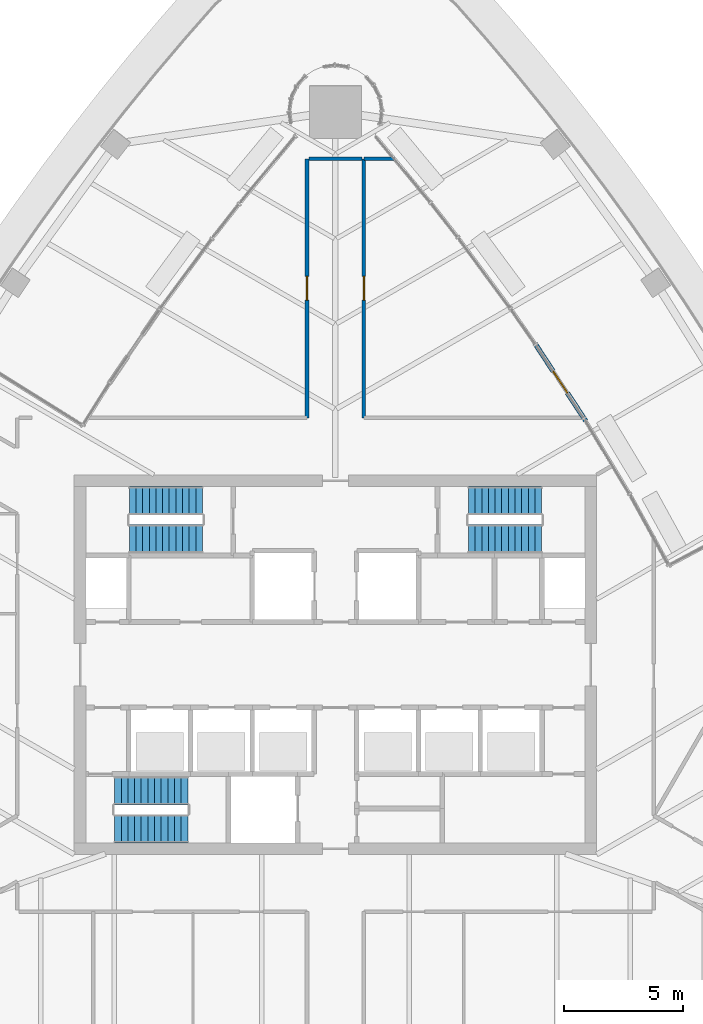
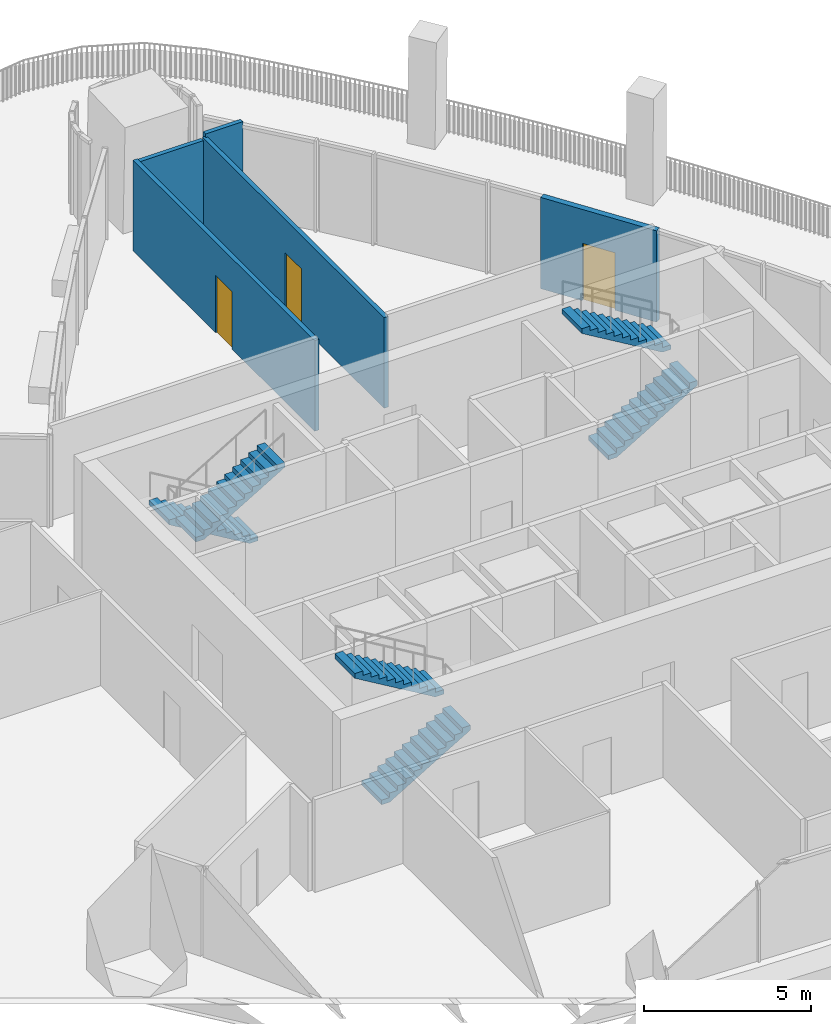
# One storey, part 13 of 18: 6 stair flights, 5 walls, 3 doors, 3 openings, 3 elements without a shape of their own.
"""IFC4 building model written with IfcOpenShell, lengths in metres."""

from ifc_helpers import new_model, si_unit, direction, frame, frame_2d, origin, place, context, subcontext, project, spatial, polyline, rectangle, outline, extrude, material, layer, layer_set, type_object, element, fill, aggregate, save


model = new_model("IFC4")

# Units and contexts
model_context = context("Model", 3, precision=1e-05, world=origin(), true_north=direction((0.0, 1.0)))
body_context = subcontext(model_context, "Body", "Model", "MODEL_VIEW")
ifc_project = project(units=[si_unit("LENGTHUNIT", "METRE"), si_unit("AREAUNIT", "SQUARE_METRE"), si_unit("VOLUMEUNIT", "CUBIC_METRE"), si_unit("PLANEANGLEUNIT", "RADIAN"), si_unit("MASSUNIT", "GRAM", prefix="KILO")], contexts=[model_context])

# Site, building, storey
site_placement = place(None, origin())
site = spatial("IfcSite", under=ifc_project, at=site_placement, CompositionType="ELEMENT")
building_placement = place(site_placement, origin())
building = spatial("IfcBuilding", under=site, at=building_placement, Name="Sierra Prisma Convention Tower", CompositionType="ELEMENT")
storey_placement = place(building_placement, frame((0.0, 0.0, 307.0)))
storey = spatial("IfcBuildingStorey", under=building, at=storey_placement, Name="L70", CompositionType="ELEMENT", Elevation=307.0)

# Wall, opening, door
ifc_material_1 = material(Name="Gypsum board partition", Category="gypsum")
ifc_layer_1 = layer(ifc_material_1, 0.14990234375)
ifc_layer_set_1 = layer_set([ifc_layer_1], Name="Corridor wall 150 gypsum EI 60")
wall_type_1 = type_object("IfcWallType", Name="Corridor wall 150 gypsum EI 60", PredefinedType="PARTITIONING", material=ifc_layer_set_1)
wall_1_placement = place(storey_placement, frame((-1.199951171875, 21.2998046875, 0.0), z_axis=(0.0, 0.0, 1.0), x_axis=(0.0, -1.0, 0.0)))
wall_1 = element("IfcWall", 1, at=wall_1_placement, inside=storey, type_object=wall_type_1, Name="Partition L70 corr 13", PredefinedType="PARTITIONING", context=body_context, shape_type="SweptSolid", body=[
    extrude(rectangle(XDim=10.89990234375, YDim=0.14990234375, at=frame_2d((5.449951171875, 0.0))), origin(), (0.0, 0.0, 1.0), 3.31689453125),
])
opening_1_placement = place(wall_1_placement, frame((4.949951171875, 0.0, 0.0)))
opening_1 = element("IfcOpeningElement", 2, at=opening_1_placement, cuts=wall_1, Name="Opening L70-D029", PredefinedType="OPENING", context=body_context, shape_type="SweptSolid", body=[
    extrude(rectangle(XDim=1.0, YDim=2.10009765625, at=frame_2d((0.5, 1.050048828125))), frame((0.0, 0.074951171875, 0.0), z_axis=(0.0, -1.0, 0.0), x_axis=(1.0, 0.0, 0.0)), (0.0, 0.0, 1.0), 0.14990234375),
])
ifc_material_2 = material(Name="Steel fire door leaf", Category="steel")
door_type_1 = type_object("IfcDoorType", Name="Door 1000x2100 FD30S", OperationType="SINGLE_SWING_LEFT", PredefinedType="DOOR", material=ifc_material_2)
door_1_placement = place(opening_1_placement, origin())
door_1 = element("IfcDoor", 3, at=door_1_placement, inside=storey, type_object=door_type_1, Name="Door L70 3", OperationType="SINGLE_SWING_LEFT", OverallHeight=2.10009765625, OverallWidth=1.0, PredefinedType="DOOR", context=body_context, shape_type="SweptSolid", body=[
    extrude(rectangle(XDim=1.0, YDim=2.10009765625, at=frame_2d((0.5, 1.050048828125))), frame((0.0, 0.02490234375, 0.0), z_axis=(0.0, -1.0, 0.0), x_axis=(1.0, 0.0, 0.0)), (0.0, 0.0, 1.0), 0.050048828125),
])
fill(opening_1, door_1)

# Wall
wall_2_placement = place(storey_placement, frame((1.1201171875, 21.2998046875, 0.0), z_axis=(0.0, 0.0, 1.0), x_axis=(-1.0, 0.0, 0.0)))
element("IfcWall", 4, at=wall_2_placement, inside=storey, type_object=wall_type_1, Name="Partition L70 corr 16", PredefinedType="PARTITIONING", context=body_context, shape_type="SweptSolid", body=[
    extrude(rectangle(XDim=2.240234375, YDim=0.14990234375, at=frame_2d((1.1201171875, 0.0))), origin(), (0.0, 0.0, 1.0), 3.23291015625),
])

# Wall, opening, door
wall_3_placement = place(storey_placement, frame((1.199951171875, 10.39990234375, 0.0), z_axis=(0.0, 0.0, 1.0), x_axis=(0.0, 1.0, 0.0)))
wall_3 = element("IfcWall", 5, at=wall_3_placement, inside=storey, type_object=wall_type_1, Name="Partition L70 corr 20", PredefinedType="PARTITIONING", context=body_context, shape_type="SweptSolid", body=[
    extrude(rectangle(XDim=10.89990234375, YDim=0.14990234375, at=frame_2d((5.449951171875, 0.0))), origin(), (0.0, 0.0, 1.0), 3.31689453125),
])
opening_2_placement = place(wall_3_placement, frame((4.949951171875, 0.0, 0.0)))
opening_2 = element("IfcOpeningElement", 6, at=opening_2_placement, cuts=wall_3, Name="Opening L70-D028", PredefinedType="OPENING", context=body_context, shape_type="SweptSolid", body=[
    extrude(rectangle(XDim=1.0, YDim=2.10009765625, at=frame_2d((0.5, 1.050048828125))), frame((0.0, 0.074951171875, 0.0), z_axis=(0.0, -1.0, 0.0), x_axis=(1.0, 0.0, 0.0)), (0.0, 0.0, 1.0), 0.14990234375),
])
door_2_placement = place(opening_2_placement, origin())
door_2 = element("IfcDoor", 7, at=door_2_placement, inside=storey, type_object=door_type_1, Name="Door L70 2", OperationType="SINGLE_SWING_RIGHT", OverallHeight=2.10009765625, OverallWidth=1.0, PredefinedType="DOOR", context=body_context, shape_type="SweptSolid", body=[
    extrude(rectangle(XDim=1.0, YDim=2.10009765625, at=frame_2d((0.5, 1.050048828125))), frame((0.0, 0.02490234375, 0.0), z_axis=(0.0, -1.0, 0.0), x_axis=(1.0, 0.0, 0.0)), (0.0, 0.0, 1.0), 0.050048828125),
])
fill(opening_2, door_2)

# Wall
ifc_material_3 = material(Name="Gypsum board partition", Category="gypsum")
ifc_layer_2 = layer(ifc_material_3, 0.14990234375)
ifc_layer_set_2 = layer_set([ifc_layer_2], Name="Party wall 150 gypsum")
wall_type_2 = type_object("IfcWallType", Name="Party wall 150 gypsum", PredefinedType="PARTITIONING", material=ifc_layer_set_2)
wall_4_placement = place(storey_placement, frame((1.199951171875, 21.2998046875, 0.0), z_axis=(0.0, 0.0, 1.0), x_axis=(1.0, 0.0, 0.0)))
element("IfcWall", 8, at=wall_4_placement, inside=storey, type_object=wall_type_2, Name="Partition L70 party 6", PredefinedType="PARTITIONING", context=body_context, shape_type="SweptSolid", body=[
    extrude(rectangle(XDim=1.2958984375, YDim=0.14990234375, at=frame_2d((0.64794921875, 0.0))), origin(), (0.0, 0.0, 1.0), 3.449951171875),
])

# Wall, opening, door
ifc_material_4 = material(Name="Precast concrete C40/50", Category="concrete")
ifc_layer_3 = layer(ifc_material_4, 0.199951171875)
ifc_layer_set_3 = layer_set([ifc_layer_3], Name="Terrace door pier")
wall_type_3 = type_object("IfcWallType", Name="Terrace door pier", PredefinedType="SOLIDWALL", material=ifc_layer_set_3)
wall_5_placement = place(storey_placement, frame((10.53564453125, 10.27001953125, 0.0), z_axis=(0.0, 0.0, 1.0), x_axis=(-0.548045908614, 0.836448254258, 0.0)))
wall_5 = element("IfcWall", 9, at=wall_5_placement, inside=storey, type_object=wall_type_3, Name="Terrace door bay L70.3", PredefinedType="SOLIDWALL", context=body_context, shape_type="SweptSolid", body=[
    extrude(rectangle(XDim=3.896484375, YDim=0.199951171875, at=frame_2d((1.9482421875, 0.0))), origin(), (0.0, 0.0, 1.0), 3.340087890625),
])
opening_3_placement = place(wall_5_placement, frame((1.398193359375, 0.0, 0.0)))
opening_3 = element("IfcOpeningElement", 10, at=opening_3_placement, cuts=wall_5, Name="Opening L70-D002", PredefinedType="OPENING", context=body_context, shape_type="SweptSolid", body=[
    extrude(rectangle(XDim=1.10009765625, YDim=2.10009765625, at=frame_2d((0.550048828125, 1.050048828125))), frame((0.0, 0.10009765625, 0.0), z_axis=(0.0, -1.0, 0.0), x_axis=(1.0, 0.0, 0.0)), (0.0, 0.0, 1.0), 0.199951171875),
])
ifc_material_5 = material(Name="Bronze anodised aluminium and glass", Category="aluminium")
door_type_2 = type_object("IfcDoorType", Name="Terrace door 1100 x 2100", OperationType="SINGLE_SWING_LEFT", PredefinedType="DOOR", material=ifc_material_5)
door_3_placement = place(opening_3_placement, origin())
door_3 = element("IfcDoor", 11, at=door_3_placement, inside=storey, type_object=door_type_2, Name="Terrace door L70.3", OperationType="SINGLE_SWING_RIGHT", OverallHeight=2.10009765625, OverallWidth=1.10009765625, PredefinedType="DOOR", context=body_context, shape_type="SweptSolid", body=[
    extrude(rectangle(XDim=1.10009765625, YDim=2.10009765625, at=frame_2d((0.550048828125, 1.050048828125))), frame((0.0, 0.02490234375, 0.0), z_axis=(0.0, -1.0, 0.0), x_axis=(1.0, 0.0, 0.0)), (0.0, 0.0, 1.0), 0.050048828125),
])
fill(opening_3, door_3)

# Stair, stair flights
ifc_material_6 = material(Name="Concrete C30/37", Category="concrete")
stair_type = type_object("IfcStairType", Name="Stair dog-leg 1200 RC", PredefinedType="HALF_TURN_STAIR", material=ifc_material_6)
stair_1_placement = place(storey_placement, origin())
stair_1 = element("IfcStair", 12, at=stair_1_placement, inside=storey, type_object=stair_type, Name="L70 S1", PredefinedType="HALF_TURN_STAIR")
ifc_material_7 = material(Name="Concrete C30/37", Category="concrete")
stair_flight_type = type_object("IfcStairFlightType", Name="Stair flight RC 1200", PredefinedType="STRAIGHT", material=ifc_material_7)
stair_flight_1_placement = place(storey_placement, frame((-9.300048828125, -6.89990234375, 0.0), z_axis=(0.0, 0.0, 1.0), x_axis=(1.0, 0.0, 0.0)))
stair_flight_1 = element("IfcStairFlight", 13, at=stair_flight_1_placement, type_object=stair_flight_type, Name="S1 flight 1", NumberOfRisers=12, NumberOfTreads=11, PredefinedType="STRAIGHT", RiserHeight=0.166666667, TreadLength=0.28, context=body_context, shape_type="SweptSolid", body=[
    extrude(outline(polyline([(0.0, 0.0), (0.0, 0.166748046875), (0.280029296875, 0.166748046875), (0.280029296875, 0.333251953125), (0.56005859375, 0.333251953125), (0.56005859375, 0.5), (0.840087890625, 0.5), (0.840087890625, 0.666748046875), (1.1201171875, 0.666748046875), (1.1201171875, 0.833251953125), (1.39990234375, 0.833251953125), (1.39990234375, 1.0), (1.679931640625, 1.0), (1.679931640625, 1.166748046875), (1.9599609375, 1.166748046875), (1.9599609375, 1.333251953125), (2.239990234375, 1.333251953125), (2.239990234375, 1.5), (2.52001953125, 1.5), (2.52001953125, 1.666748046875), (2.800048828125, 1.666748046875), (2.800048828125, 1.833251953125), (3.080078125, 1.833251953125), (3.080078125, 2.0), (3.080078125, 1.658935546875), (0.29296875, 0.0), (0.0, 0.0)])), frame((0.0, 0.60009765625, 0.0), z_axis=(0.0, -1.0, 0.0), x_axis=(1.0, 0.0, 0.0)), (0.0, 0.0, 1.0), 1.199951171875),
])
stair_flight_2_placement = place(storey_placement, frame((-6.219970703125, -5.300048828125, 2.0), z_axis=(0.0, 0.0, 1.0), x_axis=(-1.0, 0.0, 0.0)))
stair_flight_2 = element("IfcStairFlight", 14, at=stair_flight_2_placement, type_object=stair_flight_type, Name="S1 flight 2", NumberOfRisers=12, NumberOfTreads=11, PredefinedType="STRAIGHT", RiserHeight=0.166666667, TreadLength=0.28, context=body_context, shape_type="SweptSolid", body=[
    extrude(outline(polyline([(0.0, 0.0), (0.0, 0.166748046875), (0.280029296875, 0.166748046875), (0.280029296875, 0.333251953125), (0.56005859375, 0.333251953125), (0.56005859375, 0.5), (0.840087890625, 0.5), (0.840087890625, 0.666748046875), (1.1201171875, 0.666748046875), (1.1201171875, 0.833251953125), (1.39990234375, 0.833251953125), (1.39990234375, 1.0), (1.679931640625, 1.0), (1.679931640625, 1.166748046875), (1.9599609375, 1.166748046875), (1.9599609375, 1.333251953125), (2.239990234375, 1.333251953125), (2.239990234375, 1.5), (2.52001953125, 1.5), (2.52001953125, 1.666748046875), (2.800048828125, 1.666748046875), (2.800048828125, 1.833251953125), (3.080078125, 1.833251953125), (3.080078125, 2.0), (3.080078125, 1.658935546875), (0.29296875, 0.0), (0.0, 0.0)])), frame((0.0, 0.60009765625, 0.0), z_axis=(0.0, -1.0, 0.0), x_axis=(1.0, 0.0, 0.0)), (0.0, 0.0, 1.0), 1.199951171875),
])
aggregate(stair_1, [stair_flight_1, stair_flight_2])

stair_2_placement = place(storey_placement, origin())
stair_2 = element("IfcStair", 15, at=stair_2_placement, inside=storey, type_object=stair_type, Name="L70 S3", PredefinedType="HALF_TURN_STAIR")
stair_flight_3_placement = place(storey_placement, frame((-5.60009765625, 6.89990234375, 0.0), z_axis=(0.0, 0.0, 1.0), x_axis=(-1.0, 0.0, 0.0)))
stair_flight_3 = element("IfcStairFlight", 16, at=stair_flight_3_placement, type_object=stair_flight_type, Name="S3 flight 1", NumberOfRisers=12, NumberOfTreads=11, PredefinedType="STRAIGHT", RiserHeight=0.166666667, TreadLength=0.28, context=body_context, shape_type="SweptSolid", body=[
    extrude(outline(polyline([(0.0, 0.0), (0.0, 0.166748046875), (0.280029296875, 0.166748046875), (0.280029296875, 0.333251953125), (0.56005859375, 0.333251953125), (0.56005859375, 0.5), (0.840087890625, 0.5), (0.840087890625, 0.666748046875), (1.1201171875, 0.666748046875), (1.1201171875, 0.833251953125), (1.39990234375, 0.833251953125), (1.39990234375, 1.0), (1.679931640625, 1.0), (1.679931640625, 1.166748046875), (1.9599609375, 1.166748046875), (1.9599609375, 1.333251953125), (2.239990234375, 1.333251953125), (2.239990234375, 1.5), (2.52001953125, 1.5), (2.52001953125, 1.666748046875), (2.800048828125, 1.666748046875), (2.800048828125, 1.833251953125), (3.080078125, 1.833251953125), (3.080078125, 2.0), (3.080078125, 1.658935546875), (0.29296875, 0.0), (0.0, 0.0)])), frame((0.0, 0.60009765625, 0.0), z_axis=(0.0, -1.0, 0.0), x_axis=(1.0, 0.0, 0.0)), (0.0, 0.0, 1.0), 1.199951171875),
])
stair_flight_4_placement = place(storey_placement, frame((-8.679931640625, 5.300048828125, 2.0), z_axis=(0.0, 0.0, 1.0), x_axis=(1.0, 0.0, 0.0)))
stair_flight_4 = element("IfcStairFlight", 17, at=stair_flight_4_placement, type_object=stair_flight_type, Name="S3 flight 2", NumberOfRisers=12, NumberOfTreads=11, PredefinedType="STRAIGHT", RiserHeight=0.166666667, TreadLength=0.28, context=body_context, shape_type="SweptSolid", body=[
    extrude(outline(polyline([(0.0, 0.0), (0.0, 0.166748046875), (0.280029296875, 0.166748046875), (0.280029296875, 0.333251953125), (0.56005859375, 0.333251953125), (0.56005859375, 0.5), (0.840087890625, 0.5), (0.840087890625, 0.666748046875), (1.1201171875, 0.666748046875), (1.1201171875, 0.833251953125), (1.39990234375, 0.833251953125), (1.39990234375, 1.0), (1.679931640625, 1.0), (1.679931640625, 1.166748046875), (1.9599609375, 1.166748046875), (1.9599609375, 1.333251953125), (2.239990234375, 1.333251953125), (2.239990234375, 1.5), (2.52001953125, 1.5), (2.52001953125, 1.666748046875), (2.800048828125, 1.666748046875), (2.800048828125, 1.833251953125), (3.080078125, 1.833251953125), (3.080078125, 2.0), (3.080078125, 1.658935546875), (0.29296875, 0.0), (0.0, 0.0)])), frame((0.0, 0.60009765625, 0.0), z_axis=(0.0, -1.0, 0.0), x_axis=(1.0, 0.0, 0.0)), (0.0, 0.0, 1.0), 1.199951171875),
])
aggregate(stair_2, [stair_flight_3, stair_flight_4])

stair_3_placement = place(storey_placement, origin())
stair_3 = element("IfcStair", 18, at=stair_3_placement, inside=storey, type_object=stair_type, Name="L70 S4", PredefinedType="HALF_TURN_STAIR")
stair_flight_5_placement = place(storey_placement, frame((5.60009765625, 5.300048828125, 0.0), z_axis=(0.0, 0.0, 1.0), x_axis=(1.0, 0.0, 0.0)))
stair_flight_5 = element("IfcStairFlight", 19, at=stair_flight_5_placement, type_object=stair_flight_type, Name="S4 flight 1", NumberOfRisers=12, NumberOfTreads=11, PredefinedType="STRAIGHT", RiserHeight=0.166666667, TreadLength=0.28, context=body_context, shape_type="SweptSolid", body=[
    extrude(outline(polyline([(0.0, 0.0), (0.0, 0.166748046875), (0.280029296875, 0.166748046875), (0.280029296875, 0.333251953125), (0.56005859375, 0.333251953125), (0.56005859375, 0.5), (0.840087890625, 0.5), (0.840087890625, 0.666748046875), (1.1201171875, 0.666748046875), (1.1201171875, 0.833251953125), (1.39990234375, 0.833251953125), (1.39990234375, 1.0), (1.679931640625, 1.0), (1.679931640625, 1.166748046875), (1.9599609375, 1.166748046875), (1.9599609375, 1.333251953125), (2.239990234375, 1.333251953125), (2.239990234375, 1.5), (2.52001953125, 1.5), (2.52001953125, 1.666748046875), (2.800048828125, 1.666748046875), (2.800048828125, 1.833251953125), (3.080078125, 1.833251953125), (3.080078125, 2.0), (3.080078125, 1.658935546875), (0.29296875, 0.0), (0.0, 0.0)])), frame((0.0, 0.60009765625, 0.0), z_axis=(0.0, -1.0, 0.0), x_axis=(1.0, 0.0, 0.0)), (0.0, 0.0, 1.0), 1.199951171875),
])
stair_flight_6_placement = place(storey_placement, frame((8.679931640625, 6.89990234375, 2.0), z_axis=(0.0, 0.0, 1.0), x_axis=(-1.0, 0.0, 0.0)))
stair_flight_6 = element("IfcStairFlight", 20, at=stair_flight_6_placement, type_object=stair_flight_type, Name="S4 flight 2", NumberOfRisers=12, NumberOfTreads=11, PredefinedType="STRAIGHT", RiserHeight=0.166666667, TreadLength=0.28, context=body_context, shape_type="SweptSolid", body=[
    extrude(outline(polyline([(0.0, 0.0), (0.0, 0.166748046875), (0.280029296875, 0.166748046875), (0.280029296875, 0.333251953125), (0.56005859375, 0.333251953125), (0.56005859375, 0.5), (0.840087890625, 0.5), (0.840087890625, 0.666748046875), (1.1201171875, 0.666748046875), (1.1201171875, 0.833251953125), (1.39990234375, 0.833251953125), (1.39990234375, 1.0), (1.679931640625, 1.0), (1.679931640625, 1.166748046875), (1.9599609375, 1.166748046875), (1.9599609375, 1.333251953125), (2.239990234375, 1.333251953125), (2.239990234375, 1.5), (2.52001953125, 1.5), (2.52001953125, 1.666748046875), (2.800048828125, 1.666748046875), (2.800048828125, 1.833251953125), (3.080078125, 1.833251953125), (3.080078125, 2.0), (3.080078125, 1.658935546875), (0.29296875, 0.0), (0.0, 0.0)])), frame((0.0, 0.60009765625, 0.0), z_axis=(0.0, -1.0, 0.0), x_axis=(1.0, 0.0, 0.0)), (0.0, 0.0, 1.0), 1.199951171875),
])
aggregate(stair_3, [stair_flight_5, stair_flight_6])

save(model, "model.ifc")
